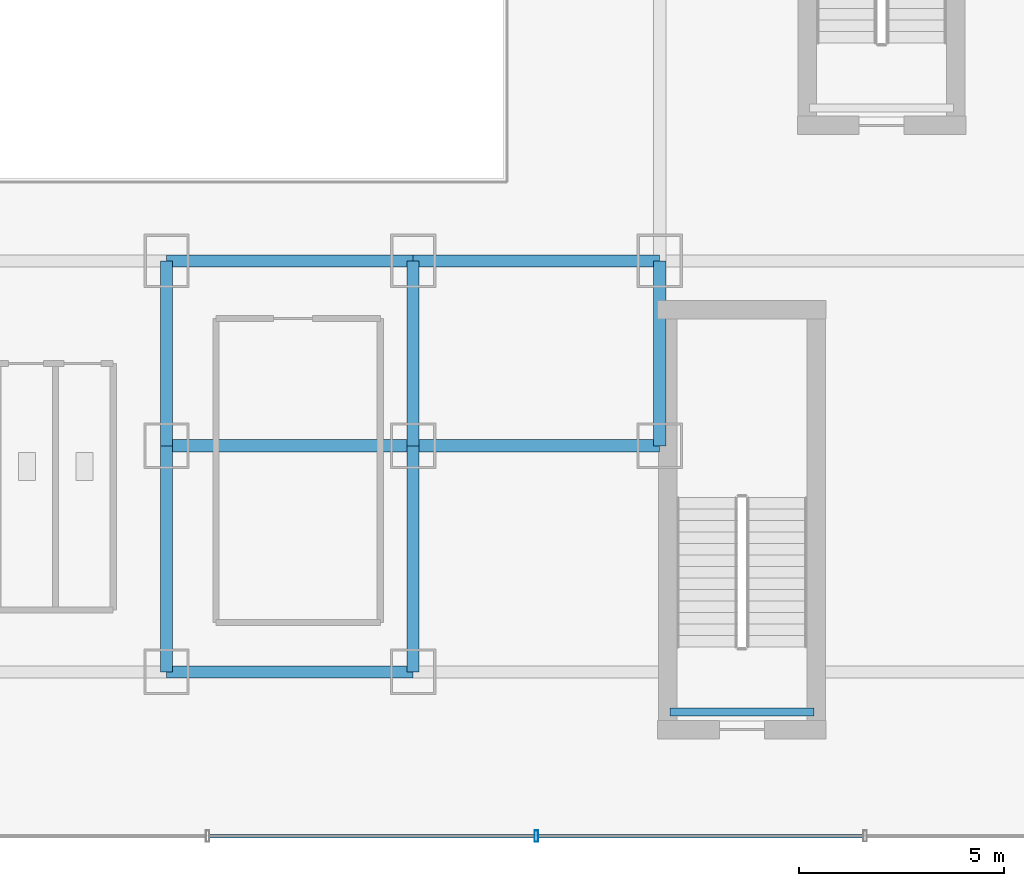
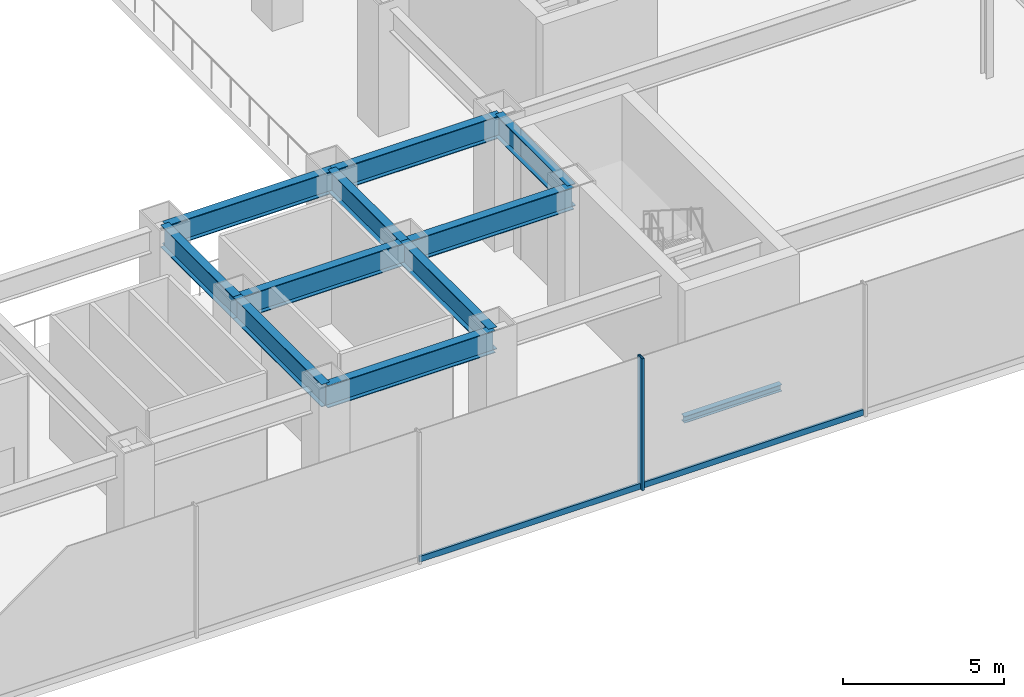
# One storey, part 10 of 39: 11 beams, 3 members, 1 element without a shape of its own.
"""IFC4 building model written with IfcOpenShell, lengths in metres."""

from ifc_helpers import new_model, si_unit, derived_unit, direction, frame, origin, origin_2d, place, context, subcontext, project, spatial, hollow_rectangle, i_section, extrude, source, transform, mapped, material, material_profile, profile_set, type_object, element, aggregate, save


model = new_model("IFC4")

# Units and contexts
model_context = context("Model", 3, precision=1e-05, world=origin(), true_north=direction((0.0, 1.0)))
body_context = subcontext(model_context, "Body", "Model", "MODEL_VIEW")
ifc_project = project(units=[si_unit("LENGTHUNIT", "METRE"), si_unit("AREAUNIT", "SQUARE_METRE"), si_unit("VOLUMEUNIT", "CUBIC_METRE"), si_unit("PLANEANGLEUNIT", "RADIAN"), si_unit("MASSUNIT", "GRAM", prefix="KILO"), derived_unit("THERMALTRANSMITTANCEUNIT", [(si_unit("POWERUNIT", "WATT"), 1), (si_unit("LENGTHUNIT", "METRE"), -2), (si_unit("THERMODYNAMICTEMPERATUREUNIT", "KELVIN"), -1)])], contexts=[model_context])

# Site, building, storey
site_placement = place(None, origin())
site = spatial("IfcSite", under=ifc_project, at=site_placement, CompositionType="ELEMENT")
building_placement = place(site_placement, origin())
building = spatial("IfcBuilding", under=site, at=building_placement, Name="Skarnbrae Concourse Arena and Tower", CompositionType="ELEMENT")
storey_placement = place(building_placement, frame((0.0, 0.0, 16.0)))
storey = spatial("IfcBuildingStorey", under=building, at=storey_placement, Name="L03", CompositionType="ELEMENT", Elevation=16.0)

# Beams
ifc_material_1 = material(Name="Steel CSA G40.21 350W", Category="steel")
ifc_material_profile_1 = material_profile(ifc_material_1, i_section(OverallWidth=0.2939453125, OverallDepth=0.85107421875, WebThickness=0.01611328125, FlangeThickness=0.02685546875, at=origin_2d()), Name="W840X226")
ifc_profile_set_1 = profile_set([ifc_material_profile_1], Name="Steel CSA G40.21 350W")
beam_type_1 = type_object("IfcBeamType", Name="BM-GIRD-W840X226", PredefinedType="BEAM", material=ifc_profile_set_1)
shared_shape_1 = source(origin(), body_context, "Body", "SweptSolid", [
    extrude(i_section(OverallWidth=0.2939453125, OverallDepth=0.85107421875, WebThickness=0.01611328125, FlangeThickness=0.02685546875, at=origin_2d()), origin(), (0.0, 0.0, 1.0), 5.5),
])
for number, where, z_axis, x_axis, name in (
    (1, (49.0, 4.0, 4.2744140625), (0.0, 1.0, 0.0), (-1.0, 0.0, 0.0), "L03 SE south tie 49"),
    (2, (55.0, 4.0, 4.2744140625), (0.0, 1.0, 0.0), (-1.0, 0.0, 0.0), "L03 SE south tie 55"),
):
    element("IfcBeam", number, at=place(storey_placement, frame(where, z_axis=z_axis, x_axis=x_axis)), inside=storey, type_object=beam_type_1, Name=name, PredefinedType="BEAM", context=body_context, shape_type="MappedRepresentation", body=[
        mapped(shared_shape_1, transform((0.0, 0.0, 0.0))),
    ])
shared_shape_2 = source(origin(), body_context, "Body", "SweptSolid", [
    extrude(i_section(OverallWidth=0.2939453125, OverallDepth=0.85107421875, WebThickness=0.01611328125, FlangeThickness=0.02685546875, at=origin_2d()), origin(), (0.0, 0.0, 1.0), 6.0),
])
for number, where, z_axis, x_axis, name in (
    (3, (49.0, 14.0, 4.2744140625), (1.0, 0.0, 0.0), (0.0, 1.0, 0.0), "L03 Podium south spine girder 8"),
    (4, (55.0, 14.0, 4.2744140625), (1.0, 0.0, 0.0), (0.0, 1.0, 0.0), "L03 Podium south spine girder 9"),
    (5, (49.0, 9.5, 4.2744140625), (1.0, 0.0, 0.0), (0.0, 1.0, 0.0), "L03 SE elbow girder 1"),
    (6, (55.0, 9.5, 4.2744140625), (1.0, 0.0, 0.0), (0.0, 1.0, 0.0), "L03 SE elbow girder 2"),
    (7, (49.0, 4.0, 4.2744140625), (1.0, 0.0, 0.0), (0.0, 1.0, 0.0), "L03 South-east girder 3"),
):
    element("IfcBeam", number, at=place(storey_placement, frame(where, z_axis=z_axis, x_axis=x_axis)), inside=storey, type_object=beam_type_1, Name=name, PredefinedType="BEAM", context=body_context, shape_type="MappedRepresentation", body=[
        mapped(shared_shape_2, transform((0.0, 0.0, 0.0))),
    ])
shared_shape_3 = source(origin(), body_context, "Body", "SweptSolid", [
    extrude(i_section(OverallWidth=0.2939453125, OverallDepth=0.85107421875, WebThickness=0.01611328125, FlangeThickness=0.02685546875, at=origin_2d()), origin(), (0.0, 0.0, 1.0), 4.5),
])
for number, where, z_axis, x_axis, name in (
    (8, (61.0, 9.5, 4.2744140625), (0.0, 1.0, 0.0), (-1.0, 0.0, 0.0), "L03 Podium east girder 1"),
    (9, (49.0, 9.5, 4.2744140625), (0.0, 1.0, 0.0), (-1.0, 0.0, 0.0), "L03 SE north tie 49"),
    (10, (55.0, 9.5, 4.2744140625), (0.0, 1.0, 0.0), (-1.0, 0.0, 0.0), "L03 SE north tie 55"),
):
    element("IfcBeam", number, at=place(storey_placement, frame(where, z_axis=z_axis, x_axis=x_axis)), inside=storey, type_object=beam_type_1, Name=name, PredefinedType="BEAM", context=body_context, shape_type="MappedRepresentation", body=[
        mapped(shared_shape_3, transform((0.0, 0.0, 0.0))),
    ])

# Curtain wall, members
ifc_material_2 = material(Name="Bronze anodised aluminium 6063-T6", Category="aluminium")
curtain_wall_type = type_object("IfcCurtainWallType", Name="CW-SYS-01-PODIUM", PredefinedType="USERDEFINED", material=ifc_material_2)
curtain_wall_placement = place(storey_placement, origin())
curtain_wall = element("IfcCurtainWall", 11, at=curtain_wall_placement, inside=storey, type_object=curtain_wall_type, Name="L03 Unitised curtain wall CW-L03-SE", ObjectType="UNITISED CURTAIN WALL", PredefinedType="USERDEFINED")
ifc_material_profile_2 = material_profile(ifc_material_2, hollow_rectangle(XDim=0.0849609375, YDim=0.280029296875, WallThickness=0.006103515625, at=origin_2d()), Name="ALU-MULL-85X280")
ifc_profile_set_2 = profile_set([ifc_material_profile_2], Name="Bronze anodised aluminium 6063-T6")
member_type_1 = type_object("IfcMemberType", Name="CWM-CW-01", PredefinedType="MULLION", material=ifc_profile_set_2)
shared_shape_4 = source(origin(), body_context, "Body", "SweptSolid", [
    extrude(hollow_rectangle(XDim=0.0849609375, YDim=0.280029296875, WallThickness=0.006103515625, at=origin_2d()), origin(), (0.0, 0.0, 1.0), 5.0),
])
member_1_placement = place(storey_placement, frame((58.0, 0.0, 0.0), z_axis=(0.0, 0.0, 1.0), x_axis=(1.0, 0.0, 0.0)))
member_1 = element("IfcMember", 12, at=member_1_placement, type_object=member_type_1, Name="CW-L03-SE Mullion 4", PredefinedType="MULLION", context=body_context, shape_type="MappedRepresentation", body=[
    mapped(shared_shape_4, transform((0.0, 0.0, 0.0))),
])
ifc_material_profile_3 = material_profile(ifc_material_2, hollow_rectangle(XDim=0.0849609375, YDim=0.219970703125, WallThickness=0.006103515625, at=origin_2d()), Name="ALU-TRAN-85X220")
ifc_profile_set_3 = profile_set([ifc_material_profile_3], Name="Bronze anodised aluminium 6063-T6")
member_type_2 = type_object("IfcMemberType", Name="CWT-CW-01", PredefinedType="USERDEFINED", material=ifc_profile_set_3)
shared_shape_5 = source(origin(), body_context, "Body", "SweptSolid", [
    extrude(hollow_rectangle(XDim=0.0849609375, YDim=0.219970703125, WallThickness=0.006103515625, at=origin_2d()), origin(), (0.0, 0.0, 1.0), 7.9150390625),
])
member_2_placement = place(storey_placement, frame((50.04248046875, 0.0, 0.110107421875), z_axis=(1.0, 0.0, 0.0), x_axis=(0.0, 1.0, 0.0)))
member_2 = element("IfcMember", 13, at=member_2_placement, type_object=member_type_2, Name="CW-L03-SE Transom 3", ObjectType="TRANSOM", PredefinedType="USERDEFINED", context=body_context, shape_type="MappedRepresentation", body=[
    mapped(shared_shape_5, transform((0.0, 0.0, 0.0))),
])
member_3_placement = place(storey_placement, frame((58.04248046875, 0.0, 0.110107421875), z_axis=(1.0, 0.0, 0.0), x_axis=(0.0, 1.0, 0.0)))
member_3 = element("IfcMember", 14, at=member_3_placement, type_object=member_type_2, Name="CW-L03-SE Transom 4", ObjectType="TRANSOM", PredefinedType="USERDEFINED", context=body_context, shape_type="MappedRepresentation", body=[
    mapped(shared_shape_5, transform((0.0, 0.0, 0.0))),
])
aggregate(curtain_wall, [member_1, member_2, member_3])

# Beam
ifc_material_profile_4 = material_profile(ifc_material_1, i_section(OverallWidth=0.202880859375, OverallDepth=0.251953125, WebThickness=0.008056640625, FlangeThickness=0.013427734375, at=origin_2d()), Name="W250X58")
ifc_profile_set_4 = profile_set([ifc_material_profile_4], Name="Steel CSA G40.21 350W")
beam_type_2 = type_object("IfcBeamType", Name="BM-LINTEL-W250X58", PredefinedType="LINTEL", material=ifc_profile_set_4)
shared_shape_6 = source(origin(), body_context, "Body", "SweptSolid", [
    extrude(i_section(OverallWidth=0.202880859375, OverallDepth=0.251953125, WebThickness=0.008056640625, FlangeThickness=0.013427734375, at=origin_2d()), origin(), (0.0, 0.0, 1.0), 3.5),
])
beam_placement = place(storey_placement, frame((64.75, 3.02001953125, -0.325927734375), z_axis=(-1.0, 0.0, 0.0), x_axis=(0.0, -1.0, 0.0)))
element("IfcBeam", 15, at=beam_placement, inside=storey, type_object=beam_type_2, Name="L03 Stair ST-A1 near landing soffit beam", PredefinedType="LINTEL", context=body_context, shape_type="MappedRepresentation", body=[
    mapped(shared_shape_6, transform((0.0, 0.0, 0.0))),
])

save(model, "model.ifc")
